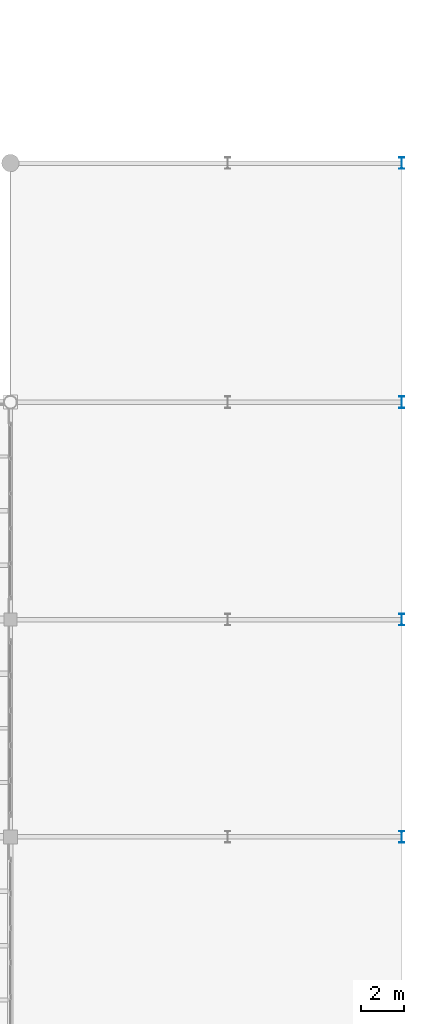
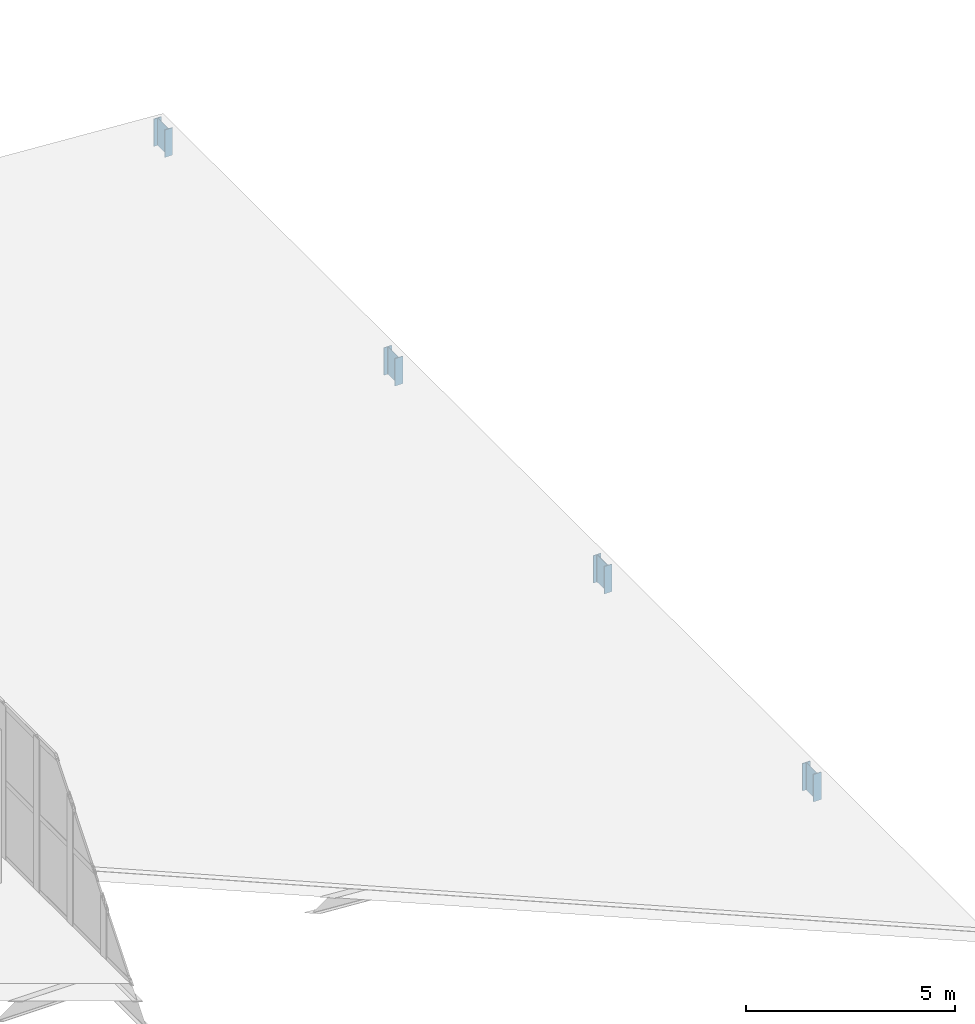
# One storey, part 16 of 136: 4 columns.
"""IFC4 building model written with IfcOpenShell, lengths in metres."""

from ifc_helpers import new_model, si_unit, direction, frame, origin, origin_2d, place, context, subcontext, project, spatial, i_section, extrude, material, material_profile, profile_set, type_object, element, save


model = new_model("IFC4")

# Units and contexts
model_context = context("Model", 3, precision=1e-05, world=origin(), true_north=direction((0.0, 1.0)))
body_context = subcontext(model_context, "Body", "Model", "MODEL_VIEW")
ifc_project = project(units=[si_unit("LENGTHUNIT", "METRE"), si_unit("AREAUNIT", "SQUARE_METRE"), si_unit("VOLUMEUNIT", "CUBIC_METRE"), si_unit("PLANEANGLEUNIT", "RADIAN"), si_unit("MASSUNIT", "GRAM", prefix="KILO")], contexts=[model_context])

# Site, building, storey
site_placement = place(None, origin())
site = spatial("IfcSite", under=ifc_project, at=site_placement, CompositionType="ELEMENT")
building_placement = place(site_placement, origin())
building = spatial("IfcBuilding", under=site, at=building_placement, Name="Brinegate Civic Arena", CompositionType="ELEMENT")
storey_placement = place(building_placement, frame((0.0, 0.0, 5.39990234375)))
storey = spatial("IfcBuildingStorey", under=building, at=storey_placement, Name="L01", CompositionType="ELEMENT", Elevation=5.39990234375)

# Columns
ifc_material = material(Name="Steel S355", Category="steel")
ifc_material_profile = material_profile(ifc_material, i_section(OverallWidth=0.2119140625, OverallDepth=0.5439453125, WebThickness=0.012939453125, FlangeThickness=0.02099609375, FilletRadius=0.01611328125, at=origin_2d()), Name="W530X123")
ifc_profile_set = profile_set([ifc_material_profile], Name="Steel S355")
column_type = type_object("IfcColumnType", Name="COL-SC02-W530", PredefinedType="COLUMN", material=ifc_profile_set)
for number, where, z_axis, x_axis, name in (
    (1, (208.0, 62.0, 0.0), (0.0, 0.0, 1.0), (1.0, 0.0, 0.0), "Dock Roof Column COL-L01-19-G"),
    (2, (208.0, 72.0, 0.0), (0.0, 0.0, 1.0), (1.0, 0.0, 0.0), "Dock Roof Column COL-L01-19-H"),
    (3, (208.0, 82.0, 0.0), (0.0, 0.0, 1.0), (1.0, 0.0, 0.0), "Dock Roof Column COL-L01-19-J"),
    (4, (208.0, 93.0, 0.0), (0.0, 0.0, 1.0), (1.0, 0.0, 0.0), "Dock Roof Column COL-L01-19-K"),
):
    element("IfcColumn", number, at=place(storey_placement, frame(where, z_axis=z_axis, x_axis=x_axis)), inside=storey, type_object=column_type, Name=name, PredefinedType="COLUMN", context=body_context, shape_type="SweptSolid", body=[
        extrude(i_section(OverallWidth=0.2119140625, OverallDepth=0.5439453125, WebThickness=0.012939453125, FlangeThickness=0.02099609375, FilletRadius=0.01611328125, at=origin_2d()), origin(), (0.0, 0.0, 1.0), 0.800048828125),
    ])

save(model, "model.ifc")
